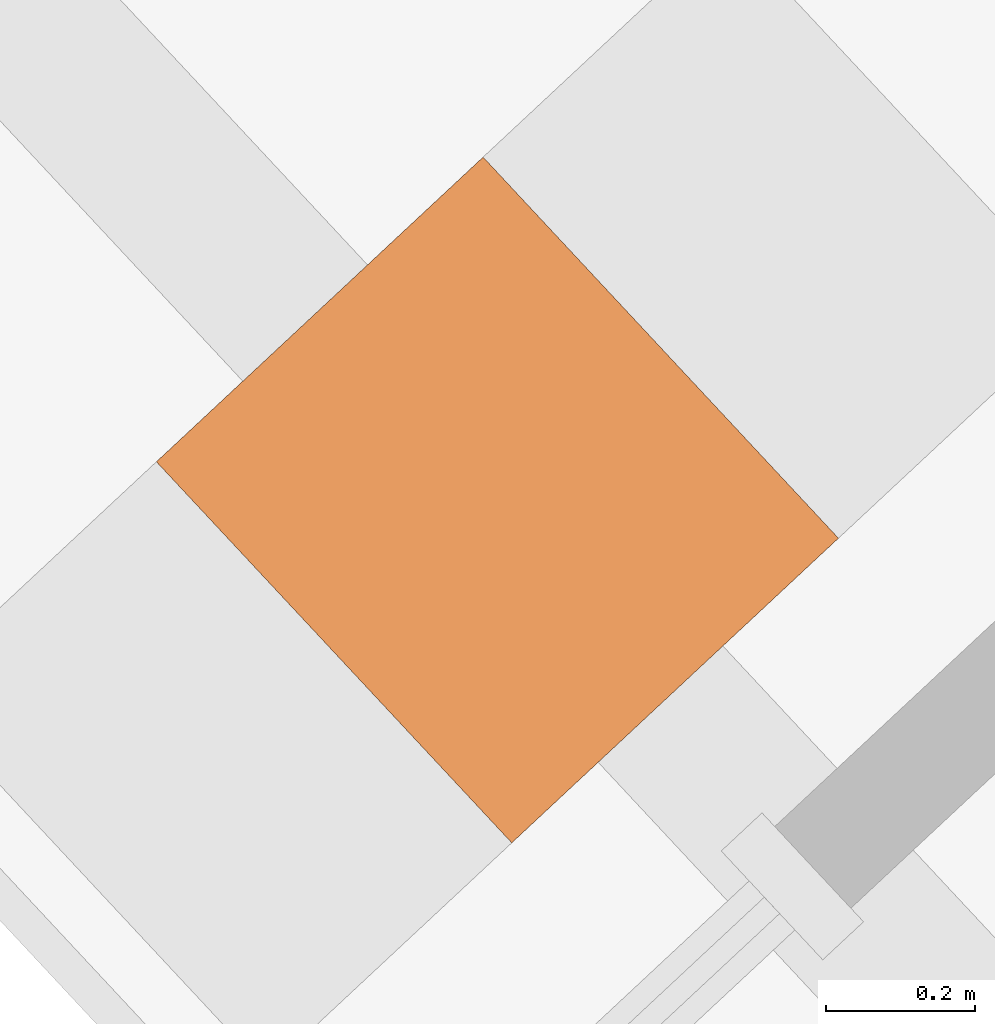
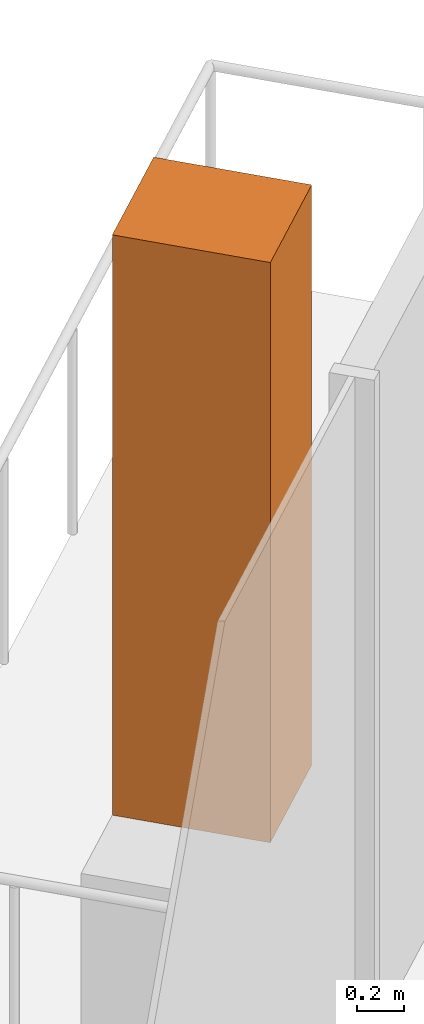
# One storey, part 17 of 17: 1 geographic element.
"""IFC4 building model written with IfcOpenShell, lengths in metres."""

from ifc_helpers import new_model, si_unit, direction, frame, origin, origin_2d, place, context, subcontext, project, spatial, rectangle, extrude, source, transform, mapped, material, type_object, element, save


model = new_model("IFC4")

# Units and contexts
model_context = context("Model", 3, precision=1e-05, world=origin(), true_north=direction((0.0, 1.0)))
body_context = subcontext(model_context, "Body", "Model", "MODEL_VIEW")
ifc_project = project(units=[si_unit("LENGTHUNIT", "METRE"), si_unit("AREAUNIT", "SQUARE_METRE"), si_unit("VOLUMEUNIT", "CUBIC_METRE"), si_unit("PLANEANGLEUNIT", "RADIAN"), si_unit("MASSUNIT", "GRAM", prefix="KILO")], contexts=[model_context])

# Site, building, storey
site_placement = place(None, origin())
site = spatial("IfcSite", under=ifc_project, at=site_placement, CompositionType="ELEMENT")
building_placement = place(site_placement, origin())
building = spatial("IfcBuilding", under=site, at=building_placement, Name="Triune Harvest Tower", CompositionType="ELEMENT")
storey_placement = place(building_placement, frame((0.0, 0.0, 123.5)))
storey = spatial("IfcBuildingStorey", under=building, at=storey_placement, Name="L31", CompositionType="ELEMENT", Elevation=123.5)

# Geographic element
ifc_material = material(Name="TREE-1 tree")
geographic_element_type = type_object("IfcGeographicElementType", Name="TREE-1 tree", PredefinedType="USERDEFINED", material=ifc_material)
shared_shape = source(origin(), body_context, "Body", "SweptSolid", [
    extrude(rectangle(XDim=0.60009765625, YDim=0.699951171875, at=origin_2d()), origin(), (0.0, 0.0, 1.0), 3.0),
])
geographic_element_placement = place(storey_placement, frame((-15.444091796875, 16.60107421875, 1.10009765625), z_axis=(0.0, 0.0, 1.0), x_axis=(-0.73135336394, -0.681998722179, 0.0)))
element("IfcGeographicElement", 1, at=geographic_element_placement, inside=storey, type_object=geographic_element_type, Name="Tree B3-F3 L31.6b", ObjectType="TREE", PredefinedType="USERDEFINED", context=body_context, shape_type="MappedRepresentation", body=[
    mapped(shared_shape, transform((0.0, 0.0, 0.0), scale=1.0)),
])

save(model, "model.ifc")
